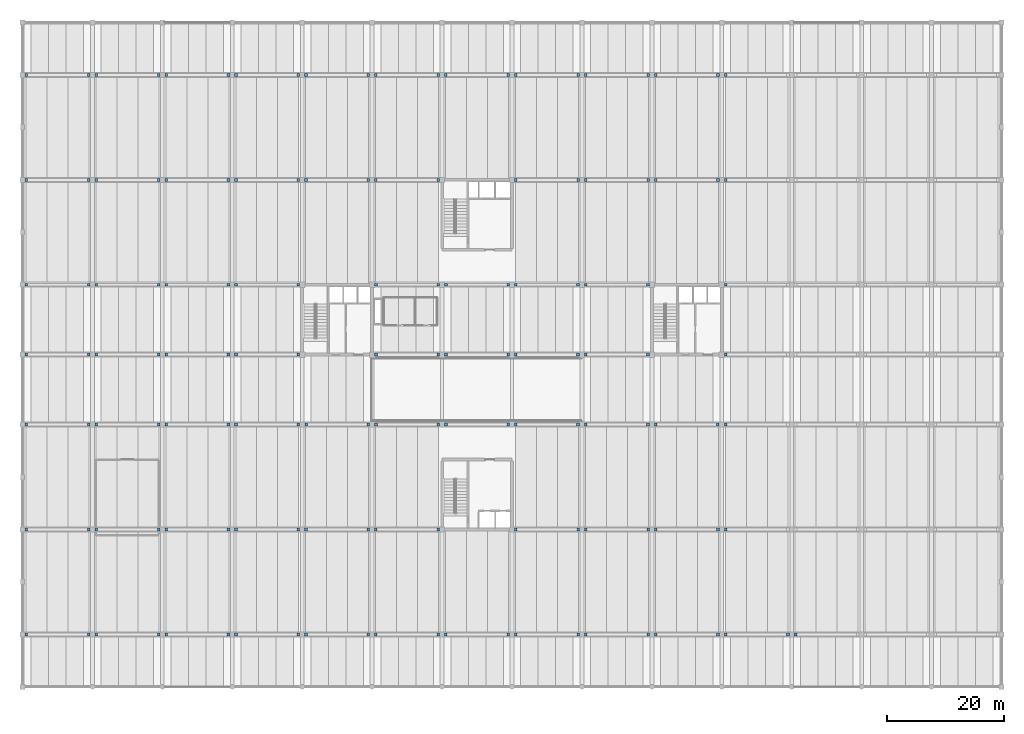
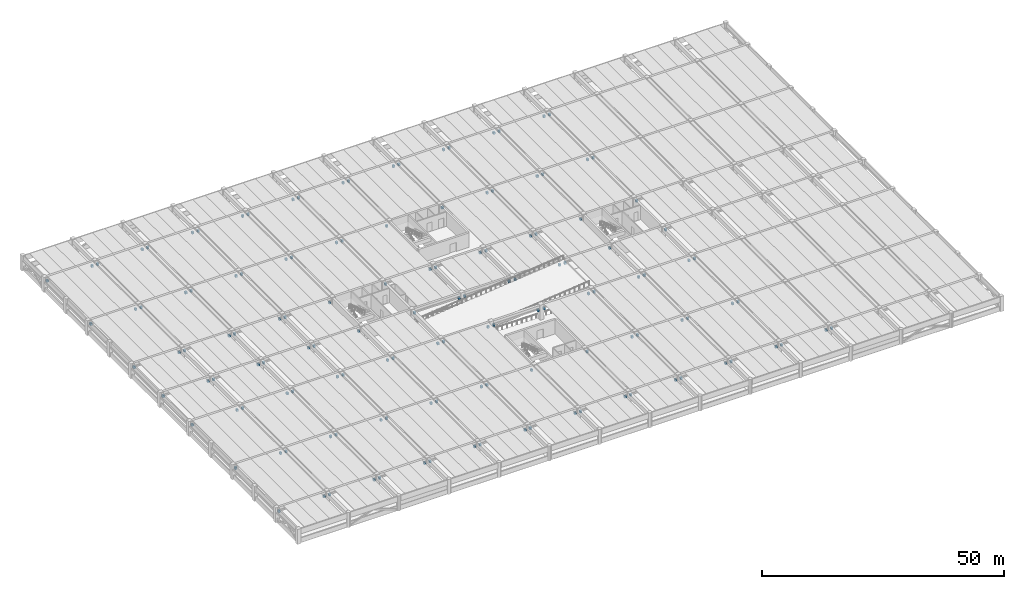
# One storey, part 13 of 19: 137 discrete accessories.
"""IFC4 building model written with IfcOpenShell, lengths in metres."""

from ifc_helpers import new_model, si_unit, direction, frame, origin, origin_2d, place, context, subcontext, project, spatial, rectangle, extrude, material, type_object, element, save


model = new_model("IFC4")

# Units and contexts
model_context = context("Model", 3, precision=1e-05, world=origin(), true_north=direction((0.0, 1.0)))
body_context = subcontext(model_context, "Body", "Model", "MODEL_VIEW")
ifc_project = project(units=[si_unit("LENGTHUNIT", "METRE"), si_unit("AREAUNIT", "SQUARE_METRE"), si_unit("VOLUMEUNIT", "CUBIC_METRE"), si_unit("PLANEANGLEUNIT", "RADIAN"), si_unit("MASSUNIT", "GRAM", prefix="KILO")], contexts=[model_context])

# Site, building, storey
site_placement = place(None, origin())
site = spatial("IfcSite", under=ifc_project, at=site_placement, CompositionType="ELEMENT")
building_placement = place(site_placement, origin())
building = spatial("IfcBuilding", under=site, at=building_placement, Name="Girod Span Mobility Hub", CompositionType="ELEMENT")
storey_placement = place(building_placement, frame((0.0, 0.0, 13.39990234375)))
storey = spatial("IfcBuildingStorey", under=building, at=storey_placement, Name="L03", CompositionType="ELEMENT", Elevation=13.39990234375)

# Discrete accessories
ifc_material = material(Name="Concrete C40/50", Category="concrete")
discrete_accessory_type = type_object("IfcDiscreteAccessoryType", Name="ACC-CORBEL-550", PredefinedType="BRACKET", material=ifc_material)
for number, where, z_axis, x_axis, name in (
    (1, (0.64794921875, 9.0, 2.1171875), (0.0, 0.0, 1.0), (1.0, 0.0, 0.0), "Precast Corbel 1/B-L L03"),
    (2, (11.35205078125, 9.0, 2.1171875), (0.0, 0.0, 1.0), (1.0, 0.0, 0.0), "Precast Corbel 1/B-R L03"),
    (3, (12.64794921875, 9.0, 2.1171875), (0.0, 0.0, 1.0), (1.0, 0.0, 0.0), "Precast Corbel 2/B-L L03"),
    (4, (23.35205078125, 9.0, 2.1171875), (0.0, 0.0, 1.0), (1.0, 0.0, 0.0), "Precast Corbel 2/B-R L03"),
    (5, (24.64794921875, 9.0, 2.1171875), (0.0, 0.0, 1.0), (1.0, 0.0, 0.0), "Precast Corbel 3/B-L L03"),
    (6, (35.35205078125, 9.0, 2.1171875), (0.0, 0.0, 1.0), (1.0, 0.0, 0.0), "Precast Corbel 3/B-R L03"),
    (7, (36.64794921875, 9.0, 2.1171875), (0.0, 0.0, 1.0), (1.0, 0.0, 0.0), "Precast Corbel 4/B-L L03"),
    (8, (47.35205078125, 9.0, 2.1171875), (0.0, 0.0, 1.0), (1.0, 0.0, 0.0), "Precast Corbel 4/B-R L03"),
    (9, (48.64794921875, 9.0, 2.1171875), (0.0, 0.0, 1.0), (1.0, 0.0, 0.0), "Precast Corbel 5/B-L L03"),
    (10, (59.35205078125, 9.0, 2.1171875), (0.0, 0.0, 1.0), (1.0, 0.0, 0.0), "Precast Corbel 5/B-R L03"),
    (11, (60.64794921875, 9.0, 2.1171875), (0.0, 0.0, 1.0), (1.0, 0.0, 0.0), "Precast Corbel 6/B-L L03"),
    (12, (71.35205078125, 9.0, 2.1171875), (0.0, 0.0, 1.0), (1.0, 0.0, 0.0), "Precast Corbel 6/B-R L03"),
    (13, (72.64794921875, 9.0, 2.1171875), (0.0, 0.0, 1.0), (1.0, 0.0, 0.0), "Precast Corbel 7/B-L L03"),
    (14, (83.35205078125, 9.0, 2.1171875), (0.0, 0.0, 1.0), (1.0, 0.0, 0.0), "Precast Corbel 7/B-R L03"),
    (15, (84.64794921875, 9.0, 2.1171875), (0.0, 0.0, 1.0), (1.0, 0.0, 0.0), "Precast Corbel 8/B-L L03"),
    (16, (95.35205078125, 9.0, 2.1171875), (0.0, 0.0, 1.0), (1.0, 0.0, 0.0), "Precast Corbel 8/B-R L03"),
    (17, (96.64794921875, 9.0, 2.1171875), (0.0, 0.0, 1.0), (1.0, 0.0, 0.0), "Precast Corbel 9/B-L L03"),
    (18, (107.35205078125, 9.0, 2.1171875), (0.0, 0.0, 1.0), (1.0, 0.0, 0.0), "Precast Corbel 9/B-R L03"),
    (19, (108.64794921875, 9.0, 2.1171875), (0.0, 0.0, 1.0), (1.0, 0.0, 0.0), "Precast Corbel 10/B-L L03"),
    (20, (119.35205078125, 9.0, 2.1171875), (0.0, 0.0, 1.0), (1.0, 0.0, 0.0), "Precast Corbel 10/B-R L03"),
    (21, (120.64794921875, 9.0, 2.1171875), (0.0, 0.0, 1.0), (1.0, 0.0, 0.0), "Precast Corbel 11/B-L L03"),
    (22, (131.35205078125, 9.0, 2.1171875), (0.0, 0.0, 1.0), (1.0, 0.0, 0.0), "Precast Corbel 11/B-R L03"),
    (23, (132.64794921875, 9.0, 2.1171875), (0.0, 0.0, 1.0), (1.0, 0.0, 0.0), "Precast Corbel 12/B-L L03"),
    (24, (0.64794921875, 27.0, 2.1171875), (0.0, 0.0, 1.0), (1.0, 0.0, 0.0), "Precast Corbel 1/C-L L03"),
    (25, (11.35205078125, 27.0, 2.1171875), (0.0, 0.0, 1.0), (1.0, 0.0, 0.0), "Precast Corbel 1/C-R L03"),
    (26, (12.64794921875, 27.0, 2.1171875), (0.0, 0.0, 1.0), (1.0, 0.0, 0.0), "Precast Corbel 2/C-L L03"),
    (27, (23.35205078125, 27.0, 2.1171875), (0.0, 0.0, 1.0), (1.0, 0.0, 0.0), "Precast Corbel 2/C-R L03"),
    (28, (24.64794921875, 27.0, 2.1171875), (0.0, 0.0, 1.0), (1.0, 0.0, 0.0), "Precast Corbel 3/C-L L03"),
    (29, (35.35205078125, 27.0, 2.1171875), (0.0, 0.0, 1.0), (1.0, 0.0, 0.0), "Precast Corbel 3/C-R L03"),
    (30, (36.64794921875, 27.0, 2.1171875), (0.0, 0.0, 1.0), (1.0, 0.0, 0.0), "Precast Corbel 4/C-L L03"),
    (31, (47.35205078125, 27.0, 2.1171875), (0.0, 0.0, 1.0), (1.0, 0.0, 0.0), "Precast Corbel 4/C-R L03"),
    (32, (48.64794921875, 27.0, 2.1171875), (0.0, 0.0, 1.0), (1.0, 0.0, 0.0), "Precast Corbel 5/C-L L03"),
    (33, (59.35205078125, 27.0, 2.1171875), (0.0, 0.0, 1.0), (1.0, 0.0, 0.0), "Precast Corbel 5/C-R L03"),
    (34, (60.64794921875, 27.0, 2.1171875), (0.0, 0.0, 1.0), (1.0, 0.0, 0.0), "Precast Corbel 6/C-L L03"),
    (35, (71.35205078125, 27.0, 2.1171875), (0.0, 0.0, 1.0), (1.0, 0.0, 0.0), "Precast Corbel 6/C-R L03"),
    (36, (84.64794921875, 27.0, 2.1171875), (0.0, 0.0, 1.0), (1.0, 0.0, 0.0), "Precast Corbel 8/C-L L03"),
    (37, (95.35205078125, 27.0, 2.1171875), (0.0, 0.0, 1.0), (1.0, 0.0, 0.0), "Precast Corbel 8/C-R L03"),
    (38, (96.64794921875, 27.0, 2.1171875), (0.0, 0.0, 1.0), (1.0, 0.0, 0.0), "Precast Corbel 9/C-L L03"),
    (39, (107.35205078125, 27.0, 2.1171875), (0.0, 0.0, 1.0), (1.0, 0.0, 0.0), "Precast Corbel 9/C-R L03"),
    (40, (108.64794921875, 27.0, 2.1171875), (0.0, 0.0, 1.0), (1.0, 0.0, 0.0), "Precast Corbel 10/C-L L03"),
    (41, (119.35205078125, 27.0, 2.1171875), (0.0, 0.0, 1.0), (1.0, 0.0, 0.0), "Precast Corbel 10/C-R L03"),
    (42, (120.64794921875, 27.0, 2.1171875), (0.0, 0.0, 1.0), (1.0, 0.0, 0.0), "Precast Corbel 11/C-L L03"),
    (43, (0.64794921875, 45.0, 2.1171875), (0.0, 0.0, 1.0), (1.0, 0.0, 0.0), "Precast Corbel 1/D-L L03"),
    (44, (11.35205078125, 45.0, 2.1171875), (0.0, 0.0, 1.0), (1.0, 0.0, 0.0), "Precast Corbel 1/D-R L03"),
    (45, (12.64794921875, 45.0, 2.1171875), (0.0, 0.0, 1.0), (1.0, 0.0, 0.0), "Precast Corbel 2/D-L L03"),
    (46, (23.35205078125, 45.0, 2.1171875), (0.0, 0.0, 1.0), (1.0, 0.0, 0.0), "Precast Corbel 2/D-R L03"),
    (47, (24.64794921875, 45.0, 2.1171875), (0.0, 0.0, 1.0), (1.0, 0.0, 0.0), "Precast Corbel 3/D-L L03"),
    (48, (35.35205078125, 45.0, 2.1171875), (0.0, 0.0, 1.0), (1.0, 0.0, 0.0), "Precast Corbel 3/D-R L03"),
    (49, (36.64794921875, 45.0, 2.1171875), (0.0, 0.0, 1.0), (1.0, 0.0, 0.0), "Precast Corbel 4/D-L L03"),
    (50, (47.326904296875, 45.0, 2.1171875), (0.0, 0.0, 1.0), (1.0, 0.0, 0.0), "Precast Corbel 4/D-R L03"),
    (51, (48.673095703125, 45.0, 2.1171875), (0.0, 0.0, 1.0), (1.0, 0.0, 0.0), "Precast Corbel 5/D-L L03"),
    (52, (59.326904296875, 45.0, 2.1171875), (0.0, 0.0, 1.0), (1.0, 0.0, 0.0), "Precast Corbel 5/D-R L03"),
    (53, (60.673095703125, 45.0, 2.1171875), (0.0, 0.0, 1.0), (1.0, 0.0, 0.0), "Precast Corbel 6/D-L L03"),
    (54, (71.326904296875, 45.0, 2.1171875), (0.0, 0.0, 1.0), (1.0, 0.0, 0.0), "Precast Corbel 6/D-R L03"),
    (55, (72.673095703125, 45.0, 2.1171875), (0.0, 0.0, 1.0), (1.0, 0.0, 0.0), "Precast Corbel 7/D-L L03"),
    (56, (83.326904296875, 45.0, 2.1171875), (0.0, 0.0, 1.0), (1.0, 0.0, 0.0), "Precast Corbel 7/D-R L03"),
    (57, (84.673095703125, 45.0, 2.1171875), (0.0, 0.0, 1.0), (1.0, 0.0, 0.0), "Precast Corbel 8/D-L L03"),
    (58, (95.326904296875, 45.0, 2.1171875), (0.0, 0.0, 1.0), (1.0, 0.0, 0.0), "Precast Corbel 8/D-R L03"),
    (59, (96.673095703125, 45.0, 2.1171875), (0.0, 0.0, 1.0), (1.0, 0.0, 0.0), "Precast Corbel 9/D-L L03"),
    (60, (107.326904296875, 45.0, 2.1171875), (0.0, 0.0, 1.0), (1.0, 0.0, 0.0), "Precast Corbel 9/D-R L03"),
    (61, (108.673095703125, 45.0, 2.1171875), (0.0, 0.0, 1.0), (1.0, 0.0, 0.0), "Precast Corbel 10/D-L L03"),
    (62, (119.326904296875, 45.0, 2.1171875), (0.0, 0.0, 1.0), (1.0, 0.0, 0.0), "Precast Corbel 10/D-R L03"),
    (63, (120.673095703125, 45.0, 2.1171875), (0.0, 0.0, 1.0), (1.0, 0.0, 0.0), "Precast Corbel 11/D-L L03"),
    (64, (0.64794921875, 57.0, 2.1171875), (0.0, 0.0, 1.0), (1.0, 0.0, 0.0), "Precast Corbel 1/E-L L03"),
    (65, (11.35205078125, 57.0, 2.1171875), (0.0, 0.0, 1.0), (1.0, 0.0, 0.0), "Precast Corbel 1/E-R L03"),
    (66, (12.64794921875, 57.0, 2.1171875), (0.0, 0.0, 1.0), (1.0, 0.0, 0.0), "Precast Corbel 2/E-L L03"),
    (67, (23.35205078125, 57.0, 2.1171875), (0.0, 0.0, 1.0), (1.0, 0.0, 0.0), "Precast Corbel 2/E-R L03"),
    (68, (24.64794921875, 57.0, 2.1171875), (0.0, 0.0, 1.0), (1.0, 0.0, 0.0), "Precast Corbel 3/E-L L03"),
    (69, (35.35205078125, 57.0, 2.1171875), (0.0, 0.0, 1.0), (1.0, 0.0, 0.0), "Precast Corbel 3/E-R L03"),
    (70, (36.64794921875, 57.0, 2.1171875), (0.0, 0.0, 1.0), (1.0, 0.0, 0.0), "Precast Corbel 4/E-L L03"),
    (71, (47.326904296875, 57.0, 2.1171875), (0.0, 0.0, 1.0), (1.0, 0.0, 0.0), "Precast Corbel 4/E-R L03"),
    (72, (60.673095703125, 57.0, 2.1171875), (0.0, 0.0, 1.0), (1.0, 0.0, 0.0), "Precast Corbel 6/E-L L03"),
    (73, (71.326904296875, 57.0, 2.1171875), (0.0, 0.0, 1.0), (1.0, 0.0, 0.0), "Precast Corbel 6/E-R L03"),
    (74, (72.673095703125, 57.0, 2.1171875), (0.0, 0.0, 1.0), (1.0, 0.0, 0.0), "Precast Corbel 7/E-L L03"),
    (75, (83.326904296875, 57.0, 2.1171875), (0.0, 0.0, 1.0), (1.0, 0.0, 0.0), "Precast Corbel 7/E-R L03"),
    (76, (84.673095703125, 57.0, 2.1171875), (0.0, 0.0, 1.0), (1.0, 0.0, 0.0), "Precast Corbel 8/E-L L03"),
    (77, (95.326904296875, 57.0, 2.1171875), (0.0, 0.0, 1.0), (1.0, 0.0, 0.0), "Precast Corbel 8/E-R L03"),
    (78, (96.673095703125, 57.0, 2.1171875), (0.0, 0.0, 1.0), (1.0, 0.0, 0.0), "Precast Corbel 9/E-L L03"),
    (79, (107.326904296875, 57.0, 2.1171875), (0.0, 0.0, 1.0), (1.0, 0.0, 0.0), "Precast Corbel 9/E-R L03"),
    (80, (120.673095703125, 57.0, 2.1171875), (0.0, 0.0, 1.0), (1.0, 0.0, 0.0), "Precast Corbel 11/E-L L03"),
    (81, (0.64794921875, 69.0, 2.1171875), (0.0, 0.0, 1.0), (1.0, 0.0, 0.0), "Precast Corbel 1/F-L L03"),
    (82, (11.35205078125, 69.0, 2.1171875), (0.0, 0.0, 1.0), (1.0, 0.0, 0.0), "Precast Corbel 1/F-R L03"),
    (83, (12.64794921875, 69.0, 2.1171875), (0.0, 0.0, 1.0), (1.0, 0.0, 0.0), "Precast Corbel 2/F-L L03"),
    (84, (23.35205078125, 69.0, 2.1171875), (0.0, 0.0, 1.0), (1.0, 0.0, 0.0), "Precast Corbel 2/F-R L03"),
    (85, (24.64794921875, 69.0, 2.1171875), (0.0, 0.0, 1.0), (1.0, 0.0, 0.0), "Precast Corbel 3/F-L L03"),
    (86, (35.35205078125, 69.0, 2.1171875), (0.0, 0.0, 1.0), (1.0, 0.0, 0.0), "Precast Corbel 3/F-R L03"),
    (87, (36.64794921875, 69.0, 2.1171875), (0.0, 0.0, 1.0), (1.0, 0.0, 0.0), "Precast Corbel 4/F-L L03"),
    (88, (47.326904296875, 69.0, 2.1171875), (0.0, 0.0, 1.0), (1.0, 0.0, 0.0), "Precast Corbel 4/F-R L03"),
    (89, (60.673095703125, 69.0, 2.1171875), (0.0, 0.0, 1.0), (1.0, 0.0, 0.0), "Precast Corbel 6/F-L L03"),
    (90, (71.326904296875, 69.0, 2.1171875), (0.0, 0.0, 1.0), (1.0, 0.0, 0.0), "Precast Corbel 6/F-R L03"),
    (91, (72.673095703125, 69.0, 2.1171875), (0.0, 0.0, 1.0), (1.0, 0.0, 0.0), "Precast Corbel 7/F-L L03"),
    (92, (83.326904296875, 69.0, 2.1171875), (0.0, 0.0, 1.0), (1.0, 0.0, 0.0), "Precast Corbel 7/F-R L03"),
    (93, (84.673095703125, 69.0, 2.1171875), (0.0, 0.0, 1.0), (1.0, 0.0, 0.0), "Precast Corbel 8/F-L L03"),
    (94, (95.326904296875, 69.0, 2.1171875), (0.0, 0.0, 1.0), (1.0, 0.0, 0.0), "Precast Corbel 8/F-R L03"),
    (95, (96.673095703125, 69.0, 2.1171875), (0.0, 0.0, 1.0), (1.0, 0.0, 0.0), "Precast Corbel 9/F-L L03"),
    (96, (107.326904296875, 69.0, 2.1171875), (0.0, 0.0, 1.0), (1.0, 0.0, 0.0), "Precast Corbel 9/F-R L03"),
    (97, (120.673095703125, 69.0, 2.1171875), (0.0, 0.0, 1.0), (1.0, 0.0, 0.0), "Precast Corbel 11/F-L L03"),
    (98, (0.64794921875, 87.0, 2.1171875), (0.0, 0.0, 1.0), (1.0, 0.0, 0.0), "Precast Corbel 1/G-L L03"),
    (99, (11.35205078125, 87.0, 2.1171875), (0.0, 0.0, 1.0), (1.0, 0.0, 0.0), "Precast Corbel 1/G-R L03"),
    (100, (12.64794921875, 87.0, 2.1171875), (0.0, 0.0, 1.0), (1.0, 0.0, 0.0), "Precast Corbel 2/G-L L03"),
    (101, (23.35205078125, 87.0, 2.1171875), (0.0, 0.0, 1.0), (1.0, 0.0, 0.0), "Precast Corbel 2/G-R L03"),
    (102, (24.64794921875, 87.0, 2.1171875), (0.0, 0.0, 1.0), (1.0, 0.0, 0.0), "Precast Corbel 3/G-L L03"),
    (103, (35.35205078125, 87.0, 2.1171875), (0.0, 0.0, 1.0), (1.0, 0.0, 0.0), "Precast Corbel 3/G-R L03"),
    (104, (36.64794921875, 87.0, 2.1171875), (0.0, 0.0, 1.0), (1.0, 0.0, 0.0), "Precast Corbel 4/G-L L03"),
    (105, (47.35205078125, 87.0, 2.1171875), (0.0, 0.0, 1.0), (1.0, 0.0, 0.0), "Precast Corbel 4/G-R L03"),
    (106, (48.64794921875, 87.0, 2.1171875), (0.0, 0.0, 1.0), (1.0, 0.0, 0.0), "Precast Corbel 5/G-L L03"),
    (107, (59.35205078125, 87.0, 2.1171875), (0.0, 0.0, 1.0), (1.0, 0.0, 0.0), "Precast Corbel 5/G-R L03"),
    (108, (60.64794921875, 87.0, 2.1171875), (0.0, 0.0, 1.0), (1.0, 0.0, 0.0), "Precast Corbel 6/G-L L03"),
    (109, (71.35205078125, 87.0, 2.1171875), (0.0, 0.0, 1.0), (1.0, 0.0, 0.0), "Precast Corbel 6/G-R L03"),
    (110, (84.64794921875, 87.0, 2.1171875), (0.0, 0.0, 1.0), (1.0, 0.0, 0.0), "Precast Corbel 8/G-L L03"),
    (111, (95.35205078125, 87.0, 2.1171875), (0.0, 0.0, 1.0), (1.0, 0.0, 0.0), "Precast Corbel 8/G-R L03"),
    (112, (96.64794921875, 87.0, 2.1171875), (0.0, 0.0, 1.0), (1.0, 0.0, 0.0), "Precast Corbel 9/G-L L03"),
    (113, (107.35205078125, 87.0, 2.1171875), (0.0, 0.0, 1.0), (1.0, 0.0, 0.0), "Precast Corbel 9/G-R L03"),
    (114, (108.64794921875, 87.0, 2.1171875), (0.0, 0.0, 1.0), (1.0, 0.0, 0.0), "Precast Corbel 10/G-L L03"),
    (115, (119.35205078125, 87.0, 2.1171875), (0.0, 0.0, 1.0), (1.0, 0.0, 0.0), "Precast Corbel 10/G-R L03"),
    (116, (120.64794921875, 87.0, 2.1171875), (0.0, 0.0, 1.0), (1.0, 0.0, 0.0), "Precast Corbel 11/G-L L03"),
    (117, (0.64794921875, 105.0, 2.1171875), (0.0, 0.0, 1.0), (1.0, 0.0, 0.0), "Precast Corbel 1/H-L L03"),
    (118, (11.35205078125, 105.0, 2.1171875), (0.0, 0.0, 1.0), (1.0, 0.0, 0.0), "Precast Corbel 1/H-R L03"),
    (119, (12.64794921875, 105.0, 2.1171875), (0.0, 0.0, 1.0), (1.0, 0.0, 0.0), "Precast Corbel 2/H-L L03"),
    (120, (23.35205078125, 105.0, 2.1171875), (0.0, 0.0, 1.0), (1.0, 0.0, 0.0), "Precast Corbel 2/H-R L03"),
    (121, (24.64794921875, 105.0, 2.1171875), (0.0, 0.0, 1.0), (1.0, 0.0, 0.0), "Precast Corbel 3/H-L L03"),
    (122, (35.35205078125, 105.0, 2.1171875), (0.0, 0.0, 1.0), (1.0, 0.0, 0.0), "Precast Corbel 3/H-R L03"),
    (123, (36.64794921875, 105.0, 2.1171875), (0.0, 0.0, 1.0), (1.0, 0.0, 0.0), "Precast Corbel 4/H-L L03"),
    (124, (47.35205078125, 105.0, 2.1171875), (0.0, 0.0, 1.0), (1.0, 0.0, 0.0), "Precast Corbel 4/H-R L03"),
    (125, (48.64794921875, 105.0, 2.1171875), (0.0, 0.0, 1.0), (1.0, 0.0, 0.0), "Precast Corbel 5/H-L L03"),
    (126, (59.35205078125, 105.0, 2.1171875), (0.0, 0.0, 1.0), (1.0, 0.0, 0.0), "Precast Corbel 5/H-R L03"),
    (127, (60.64794921875, 105.0, 2.1171875), (0.0, 0.0, 1.0), (1.0, 0.0, 0.0), "Precast Corbel 6/H-L L03"),
    (128, (71.35205078125, 105.0, 2.1171875), (0.0, 0.0, 1.0), (1.0, 0.0, 0.0), "Precast Corbel 6/H-R L03"),
    (129, (72.64794921875, 105.0, 2.1171875), (0.0, 0.0, 1.0), (1.0, 0.0, 0.0), "Precast Corbel 7/H-L L03"),
    (130, (83.35205078125, 105.0, 2.1171875), (0.0, 0.0, 1.0), (1.0, 0.0, 0.0), "Precast Corbel 7/H-R L03"),
    (131, (84.64794921875, 105.0, 2.1171875), (0.0, 0.0, 1.0), (1.0, 0.0, 0.0), "Precast Corbel 8/H-L L03"),
    (132, (95.35205078125, 105.0, 2.1171875), (0.0, 0.0, 1.0), (1.0, 0.0, 0.0), "Precast Corbel 8/H-R L03"),
    (133, (96.64794921875, 105.0, 2.1171875), (0.0, 0.0, 1.0), (1.0, 0.0, 0.0), "Precast Corbel 9/H-L L03"),
    (134, (107.35205078125, 105.0, 2.1171875), (0.0, 0.0, 1.0), (1.0, 0.0, 0.0), "Precast Corbel 9/H-R L03"),
    (135, (108.64794921875, 105.0, 2.1171875), (0.0, 0.0, 1.0), (1.0, 0.0, 0.0), "Precast Corbel 10/H-L L03"),
    (136, (119.35205078125, 105.0, 2.1171875), (0.0, 0.0, 1.0), (1.0, 0.0, 0.0), "Precast Corbel 10/H-R L03"),
    (137, (120.64794921875, 105.0, 2.1171875), (0.0, 0.0, 1.0), (1.0, 0.0, 0.0), "Precast Corbel 11/H-L L03"),
):
    element("IfcDiscreteAccessory", number, at=place(storey_placement, frame(where, z_axis=z_axis, x_axis=x_axis)), inside=storey, type_object=discrete_accessory_type, Name=name, PredefinedType="BRACKET", context=body_context, shape_type="SweptSolid", body=[
        extrude(rectangle(XDim=0.449951171875, YDim=0.5, at=origin_2d()), origin(), (0.0, 0.0, 1.0), 0.550048828125),
    ])

save(model, "model.ifc")
